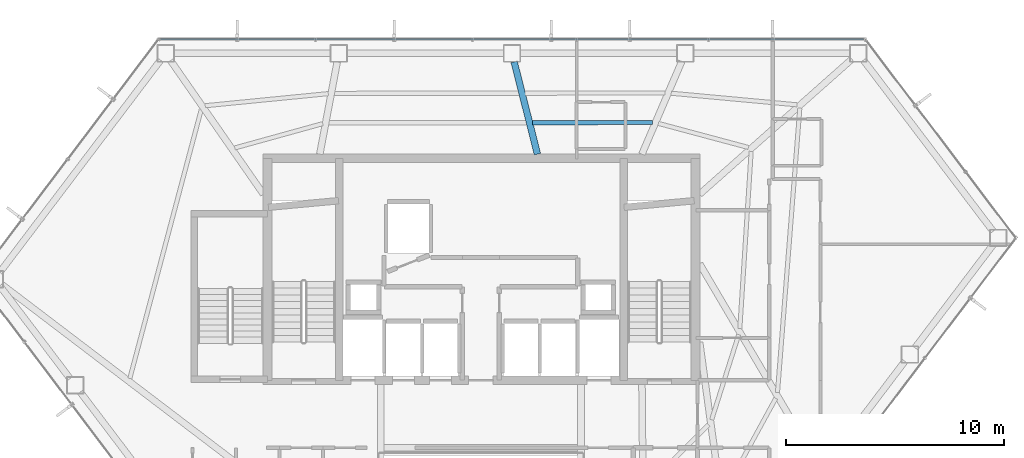
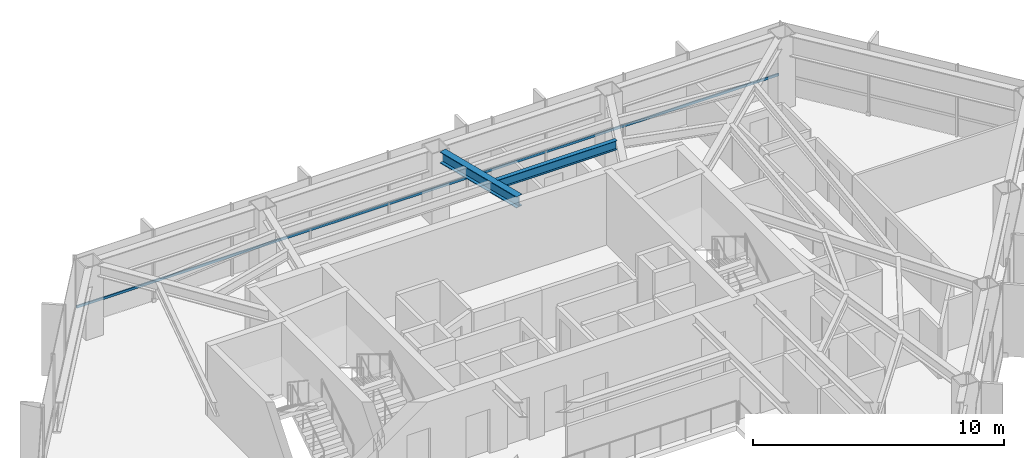
# One storey, part 14 of 28: 2 beams, 1 member, 1 element without a shape of its own.
"""IFC4 building model written with IfcOpenShell, lengths in metres."""

from ifc_helpers import new_model, si_unit, direction, frame, origin, origin_2d, place, context, subcontext, project, spatial, hollow_rectangle, i_section, extrude, material, layer, layer_set, material_profile, profile_set, type_object, element, aggregate, save


model = new_model("IFC4")

# Units and contexts
model_context = context("Model", 3, precision=1e-05, world=origin(), true_north=direction((0.0, 1.0)))
body_context = subcontext(model_context, "Body", "Model", "MODEL_VIEW")
ifc_project = project(units=[si_unit("LENGTHUNIT", "METRE"), si_unit("AREAUNIT", "SQUARE_METRE"), si_unit("VOLUMEUNIT", "CUBIC_METRE"), si_unit("PLANEANGLEUNIT", "RADIAN"), si_unit("MASSUNIT", "GRAM", prefix="KILO")], contexts=[model_context])

# Site, building, storey
site_placement = place(None, origin())
site = spatial("IfcSite", under=ifc_project, at=site_placement, CompositionType="ELEMENT")
building_placement = place(site_placement, origin())
building = spatial("IfcBuilding", under=site, at=building_placement, Name="Zarrinselat Tower", CompositionType="ELEMENT")
storey_placement = place(building_placement, frame((0.0, 0.0, 157.080078125)))
storey = spatial("IfcBuildingStorey", under=building, at=storey_placement, Name="L38", CompositionType="ELEMENT", Elevation=157.080078125)

# Beams
ifc_material_1 = material(Name="Steel S355J2", Category="steel")
ifc_material_profile_1 = material_profile(ifc_material_1, i_section(OverallWidth=0.300048828125, OverallDepth=0.550048828125, WebThickness=0.014892578125, FlangeThickness=0.029052734375, at=origin_2d()), Name="HEB 550")
ifc_profile_set_1 = profile_set([ifc_material_profile_1], Name="Steel S355J2")
beam_type_1 = type_object("IfcBeamType", Name="BM-HEB550", PredefinedType="BEAM", material=ifc_profile_set_1)
beam_1_placement = place(storey_placement, frame((39.9287109375, 47.876953125, 3.224853515625), z_axis=(0.245124146989, -0.969491698037, 0.0), x_axis=(0.969491698037, 0.245124146989, 0.0)))
element("IfcBeam", 1, at=beam_1_placement, inside=storey, type_object=beam_type_1, Name="L38 Radial Primary Girder RG03", PredefinedType="BEAM", context=body_context, shape_type="SweptSolid", body=[
    extrude(i_section(OverallWidth=0.300048828125, OverallDepth=0.550048828125, WebThickness=0.014892578125, FlangeThickness=0.029052734375, at=origin_2d()), origin(), (0.0, 0.0, 1.0), 4.370361328125),
])
ifc_material_2 = material(Name="Steel S355J2", Category="steel")
ifc_material_profile_2 = material_profile(ifc_material_2, i_section(OverallWidth=0.18994140625, OverallDepth=0.449951171875, WebThickness=0.009521484375, FlangeThickness=0.0146484375, at=origin_2d()), Name="IPE 450")
ifc_profile_set_2 = profile_set([ifc_material_profile_2], Name="Steel S355J2")
beam_type_2 = type_object("IfcBeamType", Name="BM-IPE450", PredefinedType="JOIST", material=ifc_profile_set_2)
beam_2_placement = place(storey_placement, frame((40.775634765625, 45.080810546875, 3.27490234375), z_axis=(0.999999283317, 0.001197232203, 0.0), x_axis=(-0.001197232203, 0.999999283317, 0.0)))
element("IfcBeam", 2, at=beam_2_placement, inside=storey, type_object=beam_type_2, Name="L38 Composite Floor Joist 6-2", PredefinedType="JOIST", context=body_context, shape_type="SweptSolid", body=[
    extrude(i_section(OverallWidth=0.18994140625, OverallDepth=0.449951171875, WebThickness=0.009521484375, FlangeThickness=0.0146484375, at=origin_2d()), origin(), (0.0, 0.0, 1.0), 5.505859375),
])

# Curtain wall, member
ifc_material_3 = material(Name="Extruded Aluminium Alloy EN AW-6063 T6", Category="aluminium")
ifc_layer = layer(ifc_material_3, 0.175048828125)
ifc_layer_set = layer_set([ifc_layer], Name="Extruded Aluminium Alloy EN AW-6063 T6")
curtain_wall_type = type_object("IfcCurtainWallType", Name="CWS-HTL", PredefinedType="NOTDEFINED", material=ifc_layer_set)
curtain_wall_placement = place(storey_placement, origin())
curtain_wall = element("IfcCurtainWall", 3, at=curtain_wall_placement, inside=storey, type_object=curtain_wall_type, Name="L38 Unitised Curtain Wall CW-L38-E03", PredefinedType="NOTDEFINED")
ifc_material_4 = material(Name="Extruded Aluminium Alloy EN AW-6063 T6", Category="aluminium")
ifc_material_profile_3 = material_profile(ifc_material_4, hollow_rectangle(XDim=0.06005859375, YDim=0.1201171875, WallThickness=0.00390625, at=origin_2d()), Name="RHS 120x60x4")
ifc_profile_set_3 = profile_set([ifc_material_profile_3], Name="Extruded Aluminium Alloy EN AW-6063 T6")
member_type = type_object("IfcMemberType", Name="MEM-CW-TRN2", PredefinedType="USERDEFINED", material=ifc_profile_set_3)
member_placement = place(storey_placement, frame((23.68505859375, 48.916748046875, 0.949951171875), z_axis=(1.0, 0.0, 0.0), x_axis=(0.0, 1.0, 0.0)))
member = element("IfcMember", 4, at=member_placement, type_object=member_type, Name="CW-L38-E03 Transom 1", ObjectType="TRANSOM", PredefinedType="USERDEFINED", context=body_context, shape_type="SweptSolid", body=[
    extrude(hollow_rectangle(XDim=0.06005859375, YDim=0.1201171875, WallThickness=0.00390625, at=origin_2d()), origin(), (0.0, 0.0, 1.0), 32.2900390625),
])
aggregate(curtain_wall, [member])

save(model, "model.ifc")
